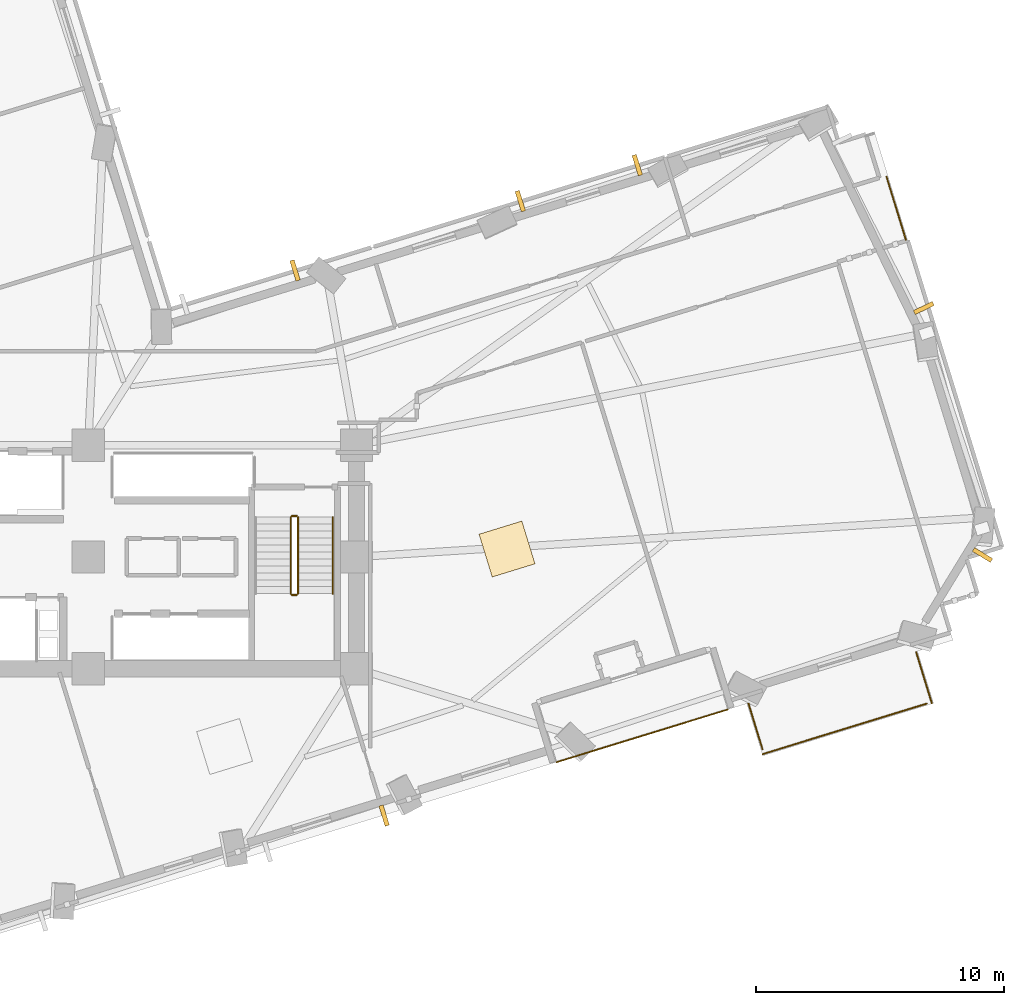
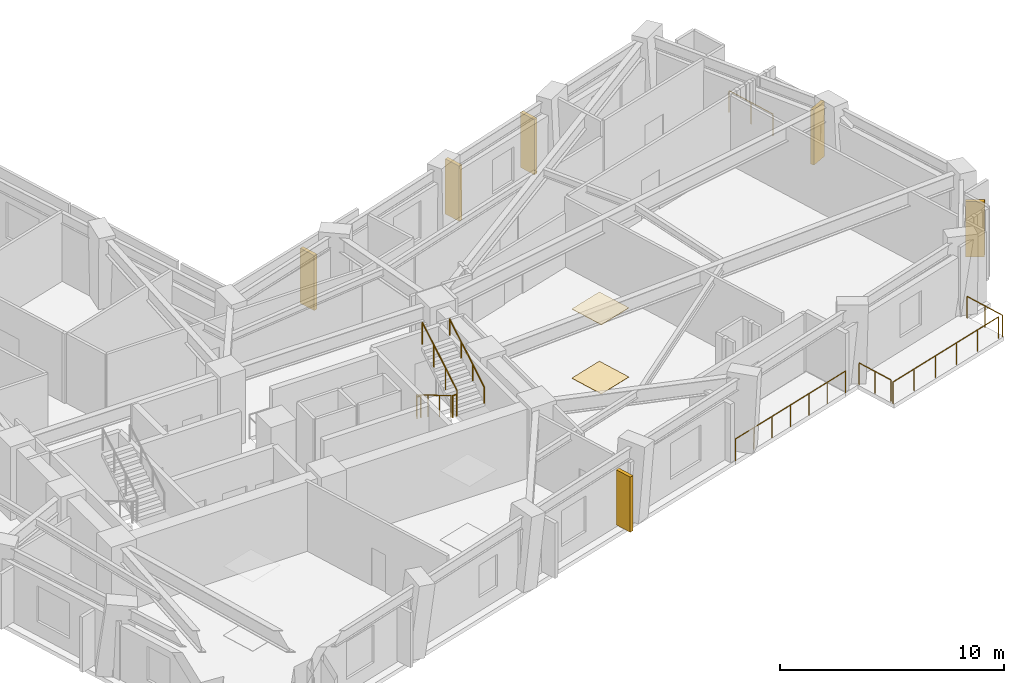
# One storey, part 12 of 14: 10 railings, 6 shading devices, 2 coverings.
"""IFC4 building model written with IfcOpenShell, lengths in metres."""

from ifc_helpers import new_model, si_unit, direction, frame, origin, origin_2d, place, context, subcontext, project, spatial, rectangle, circle, extrude, material, layer, layer_set, type_object, element, save


model = new_model("IFC4")

# Units and contexts
model_context = context("Model", 3, precision=1e-05, world=origin(), true_north=direction((0.0, 1.0)))
body_context = subcontext(model_context, "Body", "Model", "MODEL_VIEW")
ifc_project = project(units=[si_unit("LENGTHUNIT", "METRE"), si_unit("AREAUNIT", "SQUARE_METRE"), si_unit("VOLUMEUNIT", "CUBIC_METRE"), si_unit("PLANEANGLEUNIT", "RADIAN"), si_unit("MASSUNIT", "GRAM", prefix="KILO")], contexts=[model_context])

# Site, building, storey
site_placement = place(None, origin())
site = spatial("IfcSite", under=ifc_project, at=site_placement, CompositionType="ELEMENT")
building_placement = place(site_placement, origin())
building = spatial("IfcBuilding", under=site, at=building_placement, Name="Gaonmaruhae Medical Tower", CompositionType="ELEMENT")
storey_placement = place(building_placement, frame((0.0, 0.0, 96.39990234375)))
storey = spatial("IfcBuildingStorey", under=building, at=storey_placement, Name="L22", CompositionType="ELEMENT", Elevation=96.39990234375)

# Coverings
ifc_material_1 = material(Name="Acoustic mineral ceiling tile", Category="finish")
ifc_layer_1 = layer(ifc_material_1, 0.02490234375)
ifc_layer_set_1 = layer_set([ifc_layer_1], Name="Acoustic mineral ceiling tile")
covering_type_1 = type_object("IfcCoveringType", Name="CLG-01 Antimicrobial Acoustic Mineral Ceiling", PredefinedType="CEILING", material=ifc_layer_set_1)
covering_1_placement = place(storey_placement, frame((41.66162109375, 12.618408203125, 3.755126953125), z_axis=(0.0, 0.0, 1.0), x_axis=(0.955793014798, 0.294040325232, 0.0)))
element("IfcCovering", 1, at=covering_1_placement, inside=storey, type_object=covering_type_1, Name="L22 Clinical Room Acoustic Ceiling 4", PredefinedType="CEILING", context=body_context, shape_type="SweptSolid", body=[
    extrude(rectangle(XDim=1.800048828125, YDim=1.800048828125, at=origin_2d()), origin(), (0.0, 0.0, 1.0), 0.02490234375),
])
ifc_material_2 = material(Name="Seamless clinical vinyl flooring", Category="finish")
ifc_layer_2 = layer(ifc_material_2, 0.014892578125)
ifc_layer_set_2 = layer_set([ifc_layer_2], Name="Seamless clinical vinyl flooring")
covering_type_2 = type_object("IfcCoveringType", Name="FLR-01 Seamless Clinical Antistatic Vinyl Flooring", PredefinedType="FLOORING", material=ifc_layer_set_2)
covering_2_placement = place(storey_placement, frame((41.66162109375, 12.618408203125, 0.0), z_axis=(0.0, 0.0, 1.0), x_axis=(0.955793014798, 0.294040325232, 0.0)))
element("IfcCovering", 2, at=covering_2_placement, inside=storey, type_object=covering_type_2, Name="L22 Clinical Room Vinyl Flooring 4", PredefinedType="FLOORING", context=body_context, shape_type="SweptSolid", body=[
    extrude(rectangle(XDim=1.800048828125, YDim=1.800048828125, at=origin_2d()), origin(), (0.0, 0.0, 1.0), 0.014892578125),
])

# Railings
ifc_material_3 = material(Name="Stainless steel 316L and laminated safety glass", Category="steel")
ifc_layer_3 = layer(ifc_material_3, 0.080078125)
ifc_layer_set_3 = layer_set([ifc_layer_3], Name="Stainless steel 316L and laminated safety glass")
railing_type_1 = type_object("IfcRailingType", Name="GD-120 Outdoor Terrace Safety Glass & Steel Balustrade", PredefinedType="BALUSTRADE", material=ifc_layer_set_3)
railing_1_placement = place(storey_placement, frame((43.662841796875, 4.041259765625, 0.0)))
element("IfcRailing", 3, at=railing_1_placement, inside=storey, type_object=railing_type_1, Name="L22 Terrace Safety Guard RL-SLB-L22-TER-01", PredefinedType="BALUSTRADE", context=body_context, shape_type="SweptSolid", body=[
    extrude(circle(Radius=0.02392578125, at=origin_2d()), frame((0.0, 0.0, 1.17578125), z_axis=(0.955797336138, 0.29402627813, 0.0), x_axis=(-0.29402627813, 0.955797336138, 0.0)), (0.0, 0.0, 1.0), 7.199951171875),
    extrude(circle(Radius=0.02099609375, at=origin_2d()), origin(), (0.0, 0.0, 1.0), 1.15185546875),
    extrude(circle(Radius=0.02099609375, at=origin_2d()), frame((1.14697265625, 0.352783203125, 0.0)), (0.0, 0.0, 1.0), 1.15185546875),
    extrude(circle(Radius=0.02099609375, at=origin_2d()), frame((2.2939453125, 0.70556640625, 0.0)), (0.0, 0.0, 1.0), 1.15185546875),
    extrude(circle(Radius=0.02099609375, at=origin_2d()), frame((3.44091796875, 1.05859375, 0.0)), (0.0, 0.0, 1.0), 1.15185546875),
    extrude(circle(Radius=0.02099609375, at=origin_2d()), frame((4.587646484375, 1.411376953125, 0.0)), (0.0, 0.0, 1.0), 1.15185546875),
    extrude(circle(Radius=0.02099609375, at=origin_2d()), frame((5.734619140625, 1.76416015625, 0.0)), (0.0, 0.0, 1.0), 1.15185546875),
    extrude(circle(Radius=0.02099609375, at=origin_2d()), frame((6.881591796875, 2.116943359375, 0.0)), (0.0, 0.0, 1.0), 1.15185546875),
])
railing_2_placement = place(storey_placement, frame((56.937744140625, 27.601806640625, 0.0)))
element("IfcRailing", 4, at=railing_2_placement, inside=storey, type_object=railing_type_1, Name="L22 Perimeter Slab Edge Safety Balustrade 02", PredefinedType="BALUSTRADE", context=body_context, shape_type="SweptSolid", body=[
    extrude(circle(Radius=0.02392578125, at=origin_2d()), frame((0.0, 0.0, 1.17578125), z_axis=(0.294060051378, -0.955786946021, 0.0), x_axis=(0.955786946021, 0.294060051378, 0.0)), (0.0, 0.0, 1.0), 2.66015625),
    extrude(circle(Radius=0.02099609375, at=origin_2d()), origin(), (0.0, 0.0, 1.0), 1.15185546875),
    extrude(circle(Radius=0.02099609375, at=origin_2d()), frame((0.39111328125, -1.271240234375, 0.0)), (0.0, 0.0, 1.0), 1.15185546875),
    extrude(circle(Radius=0.02099609375, at=origin_2d()), frame((0.7822265625, -2.54248046875, 0.0)), (0.0, 0.0, 1.0), 1.15185546875),
])
railing_3_placement = place(storey_placement, frame((58.1298828125, 8.470947265625, 0.0)))
element("IfcRailing", 5, at=railing_3_placement, inside=storey, type_object=railing_type_1, Name="L22 Perimeter Slab Edge Safety Balustrade 03", PredefinedType="BALUSTRADE", context=body_context, shape_type="SweptSolid", body=[
    extrude(circle(Radius=0.02392578125, at=origin_2d()), frame((0.0, 0.0, 1.17578125), z_axis=(0.293966716676, -0.955815656644, 0.0), x_axis=(0.955815656644, 0.293966716676, 0.0)), (0.0, 0.0, 1.0), 2.16015625),
    extrude(circle(Radius=0.02099609375, at=origin_2d()), origin(), (0.0, 0.0, 1.0), 1.15185546875),
    extrude(circle(Radius=0.02099609375, at=origin_2d()), frame((0.3173828125, -1.0322265625, 0.0)), (0.0, 0.0, 1.0), 1.15185546875),
    extrude(circle(Radius=0.02099609375, at=origin_2d()), frame((0.635009765625, -2.064697265625, 0.0)), (0.0, 0.0, 1.0), 1.15185546875),
])
railing_4_placement = place(storey_placement, frame((58.549560546875, 6.392333984375, 0.0)))
element("IfcRailing", 6, at=railing_4_placement, inside=storey, type_object=railing_type_1, Name="L22 Perimeter Slab Edge Safety Balustrade 04", PredefinedType="BALUSTRADE", context=body_context, shape_type="SweptSolid", body=[
    extrude(circle(Radius=0.02392578125, at=origin_2d()), frame((0.0, 0.0, 1.17578125), z_axis=(-0.955795837899, -0.294031148445, 0.0), x_axis=(0.294031148445, -0.955795837899, 0.0)), (0.0, 0.0, 1.0), 6.89990234375),
    extrude(circle(Radius=0.02099609375, at=origin_2d()), origin(), (0.0, 0.0, 1.0), 1.15185546875),
    extrude(circle(Radius=0.02099609375, at=origin_2d()), frame((-1.319091796875, -0.40576171875, 0.0)), (0.0, 0.0, 1.0), 1.15185546875),
    extrude(circle(Radius=0.02099609375, at=origin_2d()), frame((-2.637939453125, -0.8115234375, 0.0)), (0.0, 0.0, 1.0), 1.15185546875),
    extrude(circle(Radius=0.02099609375, at=origin_2d()), frame((-3.95703125, -1.21728515625, 0.0)), (0.0, 0.0, 1.0), 1.15185546875),
    extrude(circle(Radius=0.02099609375, at=origin_2d()), frame((-5.27587890625, -1.623046875, 0.0)), (0.0, 0.0, 1.0), 1.15185546875),
    extrude(circle(Radius=0.02099609375, at=origin_2d()), frame((-6.594970703125, -2.02880859375, 0.0)), (0.0, 0.0, 1.0), 1.15185546875),
])
railing_5_placement = place(storey_placement, frame((51.947021484375, 4.558349609375, 0.0)))
element("IfcRailing", 7, at=railing_5_placement, inside=storey, type_object=railing_type_1, Name="L22 Perimeter Slab Edge Safety Balustrade 05", PredefinedType="BALUSTRADE", context=body_context, shape_type="SweptSolid", body=[
    extrude(circle(Radius=0.02392578125, at=origin_2d()), frame((0.0, 0.0, 1.17578125), z_axis=(-0.294112631496, 0.955770767493, 0.0), x_axis=(-0.955770767493, -0.294112631496, 0.0)), (0.0, 0.0, 1.0), 1.921630859375),
    extrude(circle(Radius=0.02099609375, at=origin_2d()), origin(), (0.0, 0.0, 1.0), 1.15185546875),
    extrude(circle(Radius=0.02099609375, at=origin_2d()), frame((-0.28271484375, 0.91845703125, 0.0)), (0.0, 0.0, 1.0), 1.15185546875),
    extrude(circle(Radius=0.02099609375, at=origin_2d()), frame((-0.565185546875, 1.836669921875, 0.0)), (0.0, 0.0, 1.0), 1.15185546875),
])
ifc_material_4 = material(Name="Stainless steel 304 handrail", Category="steel")
railing_type_2 = type_object("IfcRailingType", Name="HR-092 Continuous Stainless Steel Stair Handrail", PredefinedType="HANDRAIL", material=ifc_material_4)
railing_6_placement = place(storey_placement, frame((34.64990234375, 10.820068359375, 2.166748046875)))
element("IfcRailing", 8, at=railing_6_placement, inside=storey, type_object=railing_type_2, Name="L22 ST-02 stair handrail 2", PredefinedType="HANDRAIL", context=body_context, shape_type="SweptSolid", body=[
    extrude(circle(Radius=0.02392578125, at=origin_2d()), frame((0.0, 0.0, 0.8759765625), z_axis=(0.0, 0.859290745958, 0.51148745235), x_axis=(-1.0, 0.0, 0.0)), (0.0, 0.0, 1.0), 3.584228515625),
    extrude(circle(Radius=0.02099609375, at=origin_2d()), origin(), (0.0, 0.0, 1.0), 0.851806640625),
    extrude(circle(Radius=0.02099609375, at=origin_2d()), frame((0.0, 1.026611328125, 0.611083984375)), (0.0, 0.0, 1.0), 0.851806640625),
    extrude(circle(Radius=0.02099609375, at=origin_2d()), frame((0.0, 2.05322265625, 1.22216796875)), (0.0, 0.0, 1.0), 0.851806640625),
    extrude(circle(Radius=0.02099609375, at=origin_2d()), frame((0.0, 3.079833984375, 1.833251953125)), (0.0, 0.0, 1.0), 0.851806640625),
])

# Shading devices
ifc_material_5 = material(Name="Pigmented coral precast concrete C45/55", Category="concrete")
shading_device_type = type_object("IfcShadingDeviceType", Name="SD-FIN1 Tower Vertical Coral Precast Shading Fin", PredefinedType="USERDEFINED", material=ifc_material_5)
for number, where, z_axis, x_axis, name in (
    (9, (36.713623046875, 1.8876953125, 0.08251953125), (0.0, 0.0, 1.0), (-0.955793014798, -0.294040325232, 0.0), "L22 Vertical Coral Precast Shading Fin S03"),
    (10, (60.802001953125, 12.377685546875, 0.08251953125), (0.0, 0.0, 1.0), (-0.521798964224, -0.853068485489, 0.0), "L22 Vertical Coral Precast Shading Fin S07"),
    (11, (58.4365234375, 22.31884765625, 0.08251953125), (0.0, 0.0, 1.0), (0.436660480774, -0.899626380522, 0.0), "L22 Vertical Coral Precast Shading Fin E02B"),
    (12, (42.19677734375, 26.623291015625, 0.072509765625), (0.0, 0.0, 1.0), (0.955793014798, 0.294040325232, 0.0), "L22 Vertical Coral Precast Shading Fin EN01"),
    (13, (46.905517578125, 28.072021484375, 0.072509765625), (0.0, 0.0, 1.0), (0.955793014798, 0.294040325232, 0.0), "L22 Vertical Coral Precast Shading Fin EN01B"),
    (14, (33.12841796875, 23.83349609375, 0.08251953125), (0.0, 0.0, 1.0), (0.955793014798, 0.294040325232, 0.0), "L22 Vertical Coral Precast Shading Fin EN03B"),
):
    element("IfcShadingDevice", number, at=place(storey_placement, frame(where, z_axis=z_axis, x_axis=x_axis)), inside=storey, type_object=shading_device_type, Name=name, ObjectType="FIN", PredefinedType="USERDEFINED", context=body_context, shape_type="SweptSolid", body=[
        extrude(rectangle(XDim=0.179931640625, YDim=0.85009765625, at=origin_2d()), origin(), (0.0, 0.0, 1.0), 3.0),
    ])

# Railings
ifc_material_6 = material(Name="Stainless steel 304 balustrade", Category="steel")
railing_type_3 = type_object("IfcRailingType", Name="SG-112 Stair Well & Ramp Void Safety Balustrade", PredefinedType="BALUSTRADE", material=ifc_material_6)
railing_7_placement = place(storey_placement, frame((32.949951171875, 13.89990234375, 0.166748046875)))
element("IfcRailing", 15, at=railing_7_placement, inside=storey, type_object=railing_type_3, Name="L22 ST-02 stair guard 1", PredefinedType="BALUSTRADE", context=body_context, shape_type="SweptSolid", body=[
    extrude(circle(Radius=0.02392578125, at=origin_2d()), frame((0.0, 0.0, 1.17578125), z_axis=(0.0, -0.859290745958, 0.51148745235), x_axis=(1.0, 0.0, 0.0)), (0.0, 0.0, 1.0), 3.584228515625),
    extrude(circle(Radius=0.02099609375, at=origin_2d()), origin(), (0.0, 0.0, 1.0), 1.15185546875),
    extrude(circle(Radius=0.02099609375, at=origin_2d()), frame((0.0, -1.026611328125, 0.611083984375)), (0.0, 0.0, 1.0), 1.15185546875),
    extrude(circle(Radius=0.02099609375, at=origin_2d()), frame((0.0, -2.05322265625, 1.22216796875)), (0.0, 0.0, 1.0), 1.15185546875),
    extrude(circle(Radius=0.02099609375, at=origin_2d()), frame((0.0, -3.079833984375, 1.833251953125)), (0.0, 0.0, 1.0), 1.15185546875),
])
railing_8_placement = place(storey_placement, frame((33.0, 10.77001953125, 2.0)))
element("IfcRailing", 16, at=railing_8_placement, inside=storey, type_object=railing_type_3, Name="L22 ST-02 stair guard 2", PredefinedType="BALUSTRADE", context=body_context, shape_type="SweptSolid", body=[
    extrude(circle(Radius=0.02392578125, at=origin_2d()), frame((0.0, 0.0, 1.17578125), z_axis=(1.0, 0.0, 0.0), x_axis=(0.0, 1.0, 0.0)), (0.0, 0.0, 1.0), 0.199951171875),
    extrude(circle(Radius=0.02099609375, at=origin_2d()), origin(), (0.0, 0.0, 1.0), 1.15185546875),
    extrude(circle(Radius=0.02099609375, at=origin_2d()), frame((0.199951171875, 0.0, 0.0)), (0.0, 0.0, 1.0), 1.15185546875),
])
railing_9_placement = place(storey_placement, frame((33.25, 10.820068359375, 2.166748046875)))
element("IfcRailing", 17, at=railing_9_placement, inside=storey, type_object=railing_type_3, Name="L22 ST-02 stair guard 3", PredefinedType="BALUSTRADE", context=body_context, shape_type="SweptSolid", body=[
    extrude(circle(Radius=0.02392578125, at=origin_2d()), frame((0.0, 0.0, 1.17578125), z_axis=(0.0, 0.859290745958, 0.51148745235), x_axis=(-1.0, 0.0, 0.0)), (0.0, 0.0, 1.0), 3.584228515625),
    extrude(circle(Radius=0.02099609375, at=origin_2d()), origin(), (0.0, 0.0, 1.0), 1.15185546875),
    extrude(circle(Radius=0.02099609375, at=origin_2d()), frame((0.0, 1.026611328125, 0.611083984375)), (0.0, 0.0, 1.0), 1.15185546875),
    extrude(circle(Radius=0.02099609375, at=origin_2d()), frame((0.0, 2.05322265625, 1.22216796875)), (0.0, 0.0, 1.0), 1.15185546875),
    extrude(circle(Radius=0.02099609375, at=origin_2d()), frame((0.0, 3.079833984375, 1.833251953125)), (0.0, 0.0, 1.0), 1.15185546875),
])
railing_10_placement = place(storey_placement, frame((33.0, 13.949951171875, 0.0)))
element("IfcRailing", 18, at=railing_10_placement, inside=storey, type_object=railing_type_3, Name="L22 ST-02 stair guard 4", PredefinedType="BALUSTRADE", context=body_context, shape_type="SweptSolid", body=[
    extrude(circle(Radius=0.02392578125, at=origin_2d()), frame((0.0, 0.0, 1.17578125), z_axis=(1.0, 0.0, 0.0), x_axis=(0.0, 1.0, 0.0)), (0.0, 0.0, 1.0), 0.199951171875),
    extrude(circle(Radius=0.02099609375, at=origin_2d()), origin(), (0.0, 0.0, 1.0), 1.15185546875),
    extrude(circle(Radius=0.02099609375, at=origin_2d()), frame((0.199951171875, 0.0, 0.0)), (0.0, 0.0, 1.0), 1.15185546875),
])

save(model, "model.ifc")
